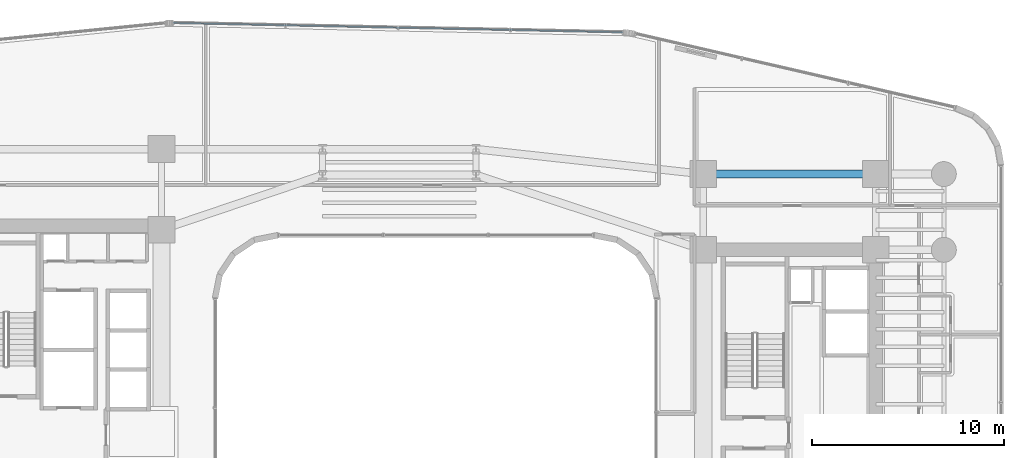
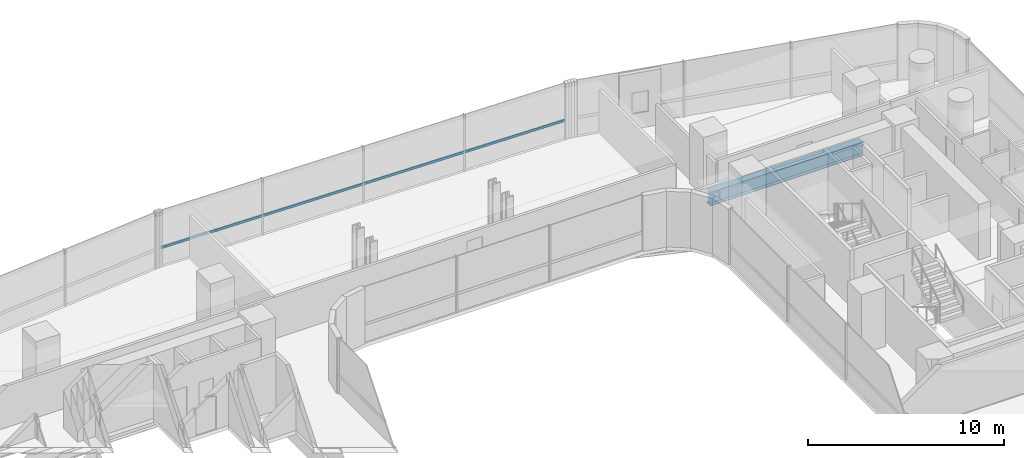
# One storey, part 22 of 39: 1 beam, 1 member, 1 element without a shape of its own.
"""IFC4 building model written with IfcOpenShell, lengths in metres."""

from ifc_helpers import new_model, si_unit, direction, frame, origin, origin_2d, place, context, subcontext, project, spatial, hollow_rectangle, i_section, extrude, source, transform, mapped, material, material_profile, profile_set, type_object, element, aggregate, save


model = new_model("IFC4")

# Units and contexts
model_context = context("Model", 3, precision=1e-05, world=origin(), true_north=direction((0.0, 1.0)))
body_context = subcontext(model_context, "Body", "Model", "MODEL_VIEW")
ifc_project = project(units=[si_unit("LENGTHUNIT", "METRE"), si_unit("AREAUNIT", "SQUARE_METRE"), si_unit("VOLUMEUNIT", "CUBIC_METRE"), si_unit("PLANEANGLEUNIT", "RADIAN"), si_unit("MASSUNIT", "GRAM", prefix="KILO")], contexts=[model_context])

# Site, building, storey
site_placement = place(None, origin())
site = spatial("IfcSite", under=ifc_project, at=site_placement, CompositionType="ELEMENT")
building_placement = place(site_placement, origin())
building = spatial("IfcBuilding", under=site, at=building_placement, Name="Valdorenza Pilgrim Sanctuary Tower", CompositionType="ELEMENT")
storey_placement = place(building_placement, frame((0.0, 0.0, 70.39990234375)))
storey = spatial("IfcBuildingStorey", under=building, at=storey_placement, Name="L17", CompositionType="ELEMENT", Elevation=70.39990234375)

# Beam
ifc_material_1 = material(Name="Steel ASTM A992 Grade 50", Category="steel")
ifc_material_profile_1 = material_profile(ifc_material_1, i_section(OverallWidth=0.39990234375, OverallDepth=0.862060546875, WebThickness=0.019775390625, FlangeThickness=0.032470703125, at=origin_2d()), Name="W33X221")
ifc_profile_set_1 = profile_set([ifc_material_profile_1], Name="Steel ASTM A992 Grade 50")
beam_type = type_object("IfcBeamType", Name="STR-BM-GRD-W33", PredefinedType="BEAM", material=ifc_profile_set_1)
shared_shape_1 = source(origin(), body_context, "Body", "SweptSolid", [
    extrude(i_section(OverallWidth=0.39990234375, OverallDepth=0.862060546875, WebThickness=0.019775390625, FlangeThickness=0.032470703125, at=origin_2d()), origin(), (0.0, 0.0, 1.0), 9.0),
])
beam_placement = place(storey_placement, frame((15.85009765625, 13.5, -0.6708984375), z_axis=(1.0, 0.0, 0.0), x_axis=(0.0, 1.0, 0.0)))
element("IfcBeam", 1, at=beam_placement, inside=storey, type_object=beam_type, Name="L17 Floor Girder CB-XC-N2", PredefinedType="BEAM", context=body_context, shape_type="MappedRepresentation", body=[
    mapped(shared_shape_1, transform((0.0, 0.0, 0.0), x_axis=(1.0, 0.0, 0.0), y_axis=(0.0, 1.0, 0.0), z_axis=(0.0, 0.0, 1.0), scale=1.0)),
])

# Curtain wall, member
ifc_material_2 = material(Name="Curtain-wall IGU glazing", Category="glass")
curtain_wall_type = type_object("IfcCurtainWallType", Name="CW-SYS-02", PredefinedType="NOTDEFINED", material=ifc_material_2)
curtain_wall_placement = place(storey_placement, origin())
curtain_wall = element("IfcCurtainWall", 2, at=curtain_wall_placement, inside=storey, type_object=curtain_wall_type, Name="L17 Curtain Wall CW-L17-1-11", PredefinedType="NOTDEFINED")
ifc_material_3 = material(Name="Anodised aluminium AW-6060", Category="aluminium")
ifc_material_profile_2 = material_profile(ifc_material_3, hollow_rectangle(XDim=0.074951171875, YDim=0.14990234375, WallThickness=0.00390625, at=origin_2d()), Name="ALU-T 150x75x4")
ifc_profile_set_2 = profile_set([ifc_material_profile_2], Name="Anodised aluminium AW-6060")
member_type = type_object("IfcMemberType", Name="CW-TRN-02", PredefinedType="USERDEFINED", material=ifc_profile_set_2)
shared_shape_2 = source(origin(), body_context, "Body", "SweptSolid", [
    extrude(hollow_rectangle(XDim=0.074951171875, YDim=0.14990234375, WallThickness=0.00390625, at=origin_2d()), origin(), (0.0, 0.0, 1.0), 23.479248046875),
])
member_placement = place(storey_placement, frame((-11.808349609375, 21.385986328125, 1.1201171875), z_axis=(0.999783083794, -0.020827514476, 0.0), x_axis=(0.020827514476, 0.999783083794, 0.0)))
member = element("IfcMember", 3, at=member_placement, type_object=member_type, Name="CW-L17-1-11 Transom 1", ObjectType="TRANSOM", PredefinedType="USERDEFINED", context=body_context, shape_type="MappedRepresentation", body=[
    mapped(shared_shape_2, transform((0.0, 0.0, 0.0), x_axis=(1.0, 0.0, 0.0), y_axis=(0.0, 1.0, 0.0), z_axis=(0.0, 0.0, 1.0), scale=1.0)),
])
aggregate(curtain_wall, [member])

save(model, "model.ifc")
